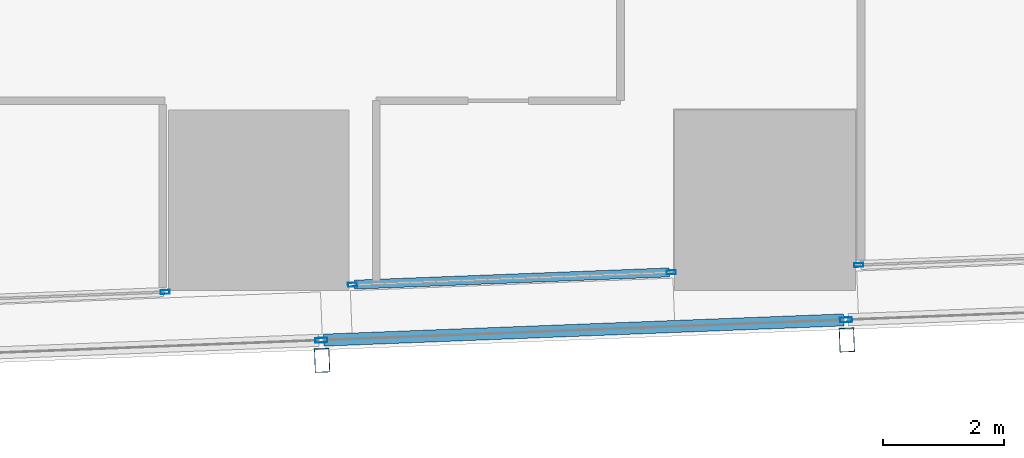
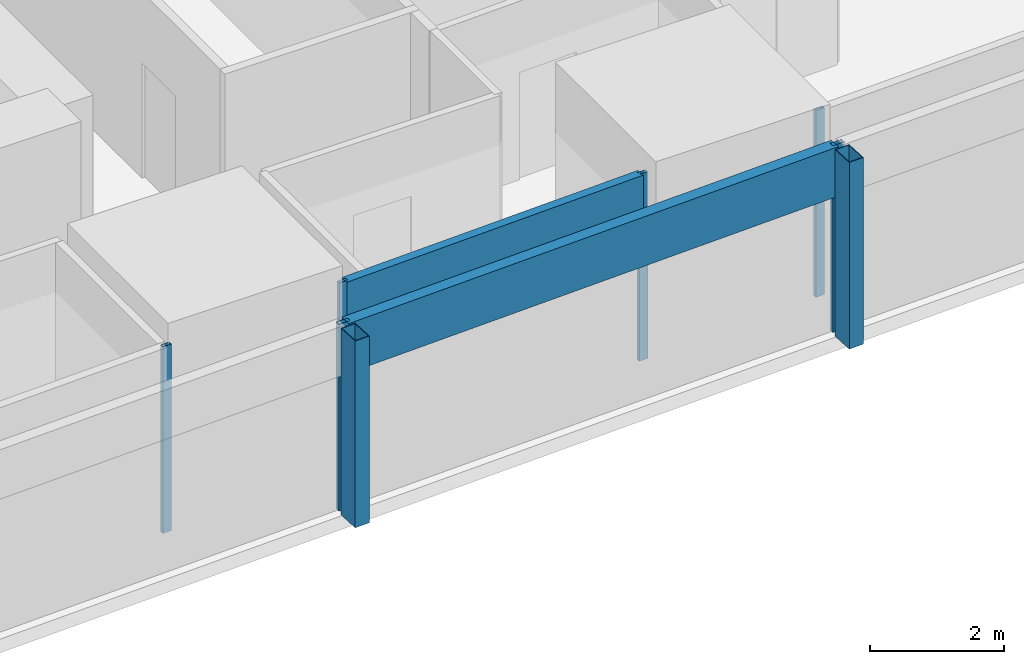
# One storey, part 11 of 38: 10 members, 4 elements without a shape of their own.
"""IFC4 building model written with IfcOpenShell, lengths in metres."""

from ifc_helpers import new_model, si_unit, direction, frame, origin, origin_2d, place, context, subcontext, project, spatial, hollow_rectangle, extrude, material, material_profile, profile_set, type_object, element, aggregate, save


model = new_model("IFC4")

# Units and contexts
model_context = context("Model", 3, precision=1e-05, world=origin(), true_north=direction((0.0, 1.0)))
body_context = subcontext(model_context, "Body", "Model", "MODEL_VIEW")
ifc_project = project(units=[si_unit("LENGTHUNIT", "METRE"), si_unit("AREAUNIT", "SQUARE_METRE"), si_unit("VOLUMEUNIT", "CUBIC_METRE"), si_unit("PLANEANGLEUNIT", "RADIAN"), si_unit("MASSUNIT", "GRAM", prefix="KILO")], contexts=[model_context])

# Site, building, storey
site_placement = place(None, origin())
site = spatial("IfcSite", under=ifc_project, at=site_placement, CompositionType="ELEMENT")
building_placement = place(site_placement, origin())
building = spatial("IfcBuilding", under=site, at=building_placement, Name="Rekha Terrace Tower", CompositionType="ELEMENT")
storey_placement = place(building_placement, frame((0.0, 0.0, 159.050048828125)))
storey = spatial("IfcBuildingStorey", under=building, at=storey_placement, Name="L40", CompositionType="ELEMENT", Elevation=159.050048828125)

# Curtain wall, members
ifc_material_1 = material(Name="Aluminium framing", Category="aluminium")
curtain_wall_type_1 = type_object("IfcCurtainWallType", Name="CW2 double skin outer glazing", PredefinedType="USERDEFINED", material=ifc_material_1)
curtain_wall_1_placement = place(storey_placement, origin())
curtain_wall_1 = element("IfcCurtainWall", 1, at=curtain_wall_1_placement, inside=storey, type_object=curtain_wall_type_1, Name="CW2 double skin outer glazing", ObjectType="DOUBLE SKIN OUTER GLAZING", PredefinedType="USERDEFINED")
ifc_material_2 = material(Name="Steel S355 with fluorocarbon finish", Category="steel")
ifc_material_profile_1 = material_profile(ifc_material_2, hollow_rectangle(XDim=0.25, YDim=0.39990234375, WallThickness=0.012451171875, at=origin_2d()), Name="RHS400x250x12.5")
ifc_profile_set_1 = profile_set([ifc_material_profile_1], Name="Steel S355 with fluorocarbon finish")
member_type_1 = type_object("IfcMemberType", Name="BL1 facade blade RHS 400 x 250", PredefinedType="USERDEFINED", material=ifc_profile_set_1)
member_1_placement = place(storey_placement, frame((51.4521484375, 14.141845703125, 0.0), z_axis=(0.0, 0.0, 1.0), x_axis=(0.999243494356, 0.038890088543, 0.0)))
member_1 = element("IfcMember", 2, at=member_1_placement, type_object=member_type_1, Name="Facade blade", ObjectType="FACADE BLADE", PredefinedType="USERDEFINED", context=body_context, shape_type="SweptSolid", body=[
    extrude(hollow_rectangle(XDim=0.25, YDim=0.39990234375, WallThickness=0.012451171875, at=origin_2d()), origin(), (0.0, 0.0, 1.0), 3.39990234375),
])
member_2_placement = place(storey_placement, frame((60.1572265625, 14.480712890625, 0.0), z_axis=(0.0, 0.0, 1.0), x_axis=(0.999243494356, 0.038890088543, 0.0)))
member_2 = element("IfcMember", 3, at=member_2_placement, type_object=member_type_1, Name="Facade blade", ObjectType="FACADE BLADE", PredefinedType="USERDEFINED", context=body_context, shape_type="SweptSolid", body=[
    extrude(hollow_rectangle(XDim=0.25, YDim=0.39990234375, WallThickness=0.012451171875, at=origin_2d()), origin(), (0.0, 0.0, 1.0), 3.39990234375),
])

# Curtain wall, member
curtain_wall_type_2 = type_object("IfcCurtainWallType", Name="CW1 double skin inner glazing", PredefinedType="USERDEFINED", material=ifc_material_1)
curtain_wall_2_placement = place(storey_placement, origin())
curtain_wall_2 = element("IfcCurtainWall", 4, at=curtain_wall_2_placement, inside=storey, type_object=curtain_wall_type_2, Name="CW1 double skin inner glazing", ObjectType="DOUBLE SKIN INNER GLAZING", PredefinedType="USERDEFINED")
ifc_material_3 = material(Name="Aluminium mullion section", Category="aluminium")
ifc_material_profile_2 = material_profile(ifc_material_3, hollow_rectangle(XDim=0.06494140625, YDim=0.14990234375, WallThickness=0.00390625, at=origin_2d()), Name="AL RHS 65x150")
ifc_profile_set_2 = profile_set([ifc_material_profile_2], Name="Aluminium mullion section")
member_type_2 = type_object("IfcMemberType", Name="CW1 mullion RHS 65 x 150", PredefinedType="MULLION", material=ifc_profile_set_2)
member_3_placement = place(storey_placement, frame((48.848388671875, 15.276611328125, 0.0), z_axis=(0.0, 0.0, 1.0), x_axis=(-0.038889971345, 0.999243498917, 0.0)))
member_3 = element("IfcMember", 5, at=member_3_placement, type_object=member_type_2, Name="CW1 mullion 4", PredefinedType="MULLION", context=body_context, shape_type="SweptSolid", body=[
    extrude(hollow_rectangle(XDim=0.06494140625, YDim=0.14990234375, WallThickness=0.00390625, at=origin_2d()), origin(), (0.0, 0.0, 1.0), 3.39990234375),
])
aggregate(curtain_wall_2, [member_3])

# Curtain wall, members
curtain_wall_3_placement = place(storey_placement, origin())
curtain_wall_3 = element("IfcCurtainWall", 6, at=curtain_wall_3_placement, inside=storey, type_object=curtain_wall_type_2, Name="CW1 double skin inner glazing", ObjectType="DOUBLE SKIN INNER GLAZING", PredefinedType="USERDEFINED")
member_4_placement = place(storey_placement, frame((51.9560546875, 15.3974609375, 0.0), z_axis=(0.0, 0.0, 1.0), x_axis=(-0.038889971328, 0.999243498918, 0.0)))
member_4 = element("IfcMember", 7, at=member_4_placement, type_object=member_type_2, Name="CW1 mullion 1", PredefinedType="MULLION", context=body_context, shape_type="SweptSolid", body=[
    extrude(hollow_rectangle(XDim=0.06494140625, YDim=0.14990234375, WallThickness=0.00390625, at=origin_2d()), origin(), (0.0, 0.0, 1.0), 3.39990234375),
])
member_5_placement = place(storey_placement, frame((57.243896484375, 15.603271484375, 0.0), z_axis=(0.0, 0.0, 1.0), x_axis=(-0.038889971328, 0.999243498918, 0.0)))
member_5 = element("IfcMember", 8, at=member_5_placement, type_object=member_type_2, Name="CW1 mullion 2", PredefinedType="MULLION", context=body_context, shape_type="SweptSolid", body=[
    extrude(hollow_rectangle(XDim=0.06494140625, YDim=0.14990234375, WallThickness=0.00390625, at=origin_2d()), origin(), (0.0, 0.0, 1.0), 3.39990234375),
])

# Curtain wall, member
curtain_wall_4_placement = place(storey_placement, origin())
curtain_wall_4 = element("IfcCurtainWall", 9, at=curtain_wall_4_placement, inside=storey, type_object=curtain_wall_type_2, Name="CW1 double skin inner glazing", ObjectType="DOUBLE SKIN INNER GLAZING", PredefinedType="USERDEFINED")
member_6_placement = place(storey_placement, frame((60.356201171875, 15.724365234375, 0.0), z_axis=(0.0, 0.0, 1.0), x_axis=(-0.038889971328, 0.999243498918, 0.0)))
member_6 = element("IfcMember", 10, at=member_6_placement, type_object=member_type_2, Name="CW1 mullion 1", PredefinedType="MULLION", context=body_context, shape_type="SweptSolid", body=[
    extrude(hollow_rectangle(XDim=0.06494140625, YDim=0.14990234375, WallThickness=0.00390625, at=origin_2d()), origin(), (0.0, 0.0, 1.0), 3.39990234375),
])
aggregate(curtain_wall_4, [member_6])

# Member
ifc_material_4 = material(Name="Insulated aluminium spandrel box", Category="aluminium")
ifc_material_profile_3 = material_profile(ifc_material_4, hollow_rectangle(XDim=0.14990234375, YDim=0.89990234375, WallThickness=0.0029296875, at=origin_2d()), Name="AL SPANDREL BOX 150x900")
ifc_profile_set_3 = profile_set([ifc_material_profile_3], Name="Insulated aluminium spandrel box")
member_type_3 = type_object("IfcMemberType", Name="CW1 spandrel transom 150 x 900", PredefinedType="USERDEFINED", material=ifc_profile_set_3)
member_7_placement = place(storey_placement, frame((51.988525390625, 15.398681640625, 2.949951171875), z_axis=(0.999242778178, 0.038908485683, 0.0), x_axis=(-0.038908485683, 0.999242778178, 0.0)))
member_7 = element("IfcMember", 11, at=member_7_placement, type_object=member_type_3, Name="CW1 spandrel transom 1", ObjectType="TRANSOM", PredefinedType="USERDEFINED", context=body_context, shape_type="SweptSolid", body=[
    extrude(hollow_rectangle(XDim=0.14990234375, YDim=0.89990234375, WallThickness=0.0029296875, at=origin_2d()), origin(), (0.0, 0.0, 1.0), 5.226806640625),
])

aggregate(curtain_wall_3, [member_4, member_5, member_7])

ifc_material_profile_4 = material_profile(ifc_material_3, hollow_rectangle(XDim=0.080078125, YDim=0.199951171875, WallThickness=0.00390625, at=origin_2d()), Name="AL RHS 80x200")
ifc_profile_set_4 = profile_set([ifc_material_profile_4], Name="Aluminium mullion section")
member_type_4 = type_object("IfcMemberType", Name="CW2 mullion RHS 80 x 200", PredefinedType="MULLION", material=ifc_profile_set_4)
member_8_placement = place(storey_placement, frame((51.439208984375, 14.4765625, 0.0), z_axis=(0.0, 0.0, 1.0), x_axis=(-0.038889971345, 0.999243498917, 0.0)))
member_8 = element("IfcMember", 12, at=member_8_placement, type_object=member_type_4, Name="CW2 mullion 4", PredefinedType="MULLION", context=body_context, shape_type="SweptSolid", body=[
    extrude(hollow_rectangle(XDim=0.080078125, YDim=0.199951171875, WallThickness=0.00390625, at=origin_2d()), origin(), (0.0, 0.0, 1.0), 3.39990234375),
])

member_9_placement = place(storey_placement, frame((60.14404296875, 14.8154296875, 0.0), z_axis=(0.0, 0.0, 1.0), x_axis=(-0.038889971345, 0.999243498917, 0.0)))
member_9 = element("IfcMember", 13, at=member_9_placement, type_object=member_type_4, Name="CW2 mullion 5", PredefinedType="MULLION", context=body_context, shape_type="SweptSolid", body=[
    extrude(hollow_rectangle(XDim=0.080078125, YDim=0.199951171875, WallThickness=0.00390625, at=origin_2d()), origin(), (0.0, 0.0, 1.0), 3.39990234375),
])

ifc_material_profile_5 = material_profile(ifc_material_4, hollow_rectangle(XDim=0.199951171875, YDim=0.89990234375, WallThickness=0.0029296875, at=origin_2d()), Name="AL SPANDREL BOX 200x900")
ifc_profile_set_5 = profile_set([ifc_material_profile_5], Name="Insulated aluminium spandrel box")
member_type_5 = type_object("IfcMemberType", Name="CW2 spandrel transom 200 x 900", PredefinedType="USERDEFINED", material=ifc_profile_set_5)
member_10_placement = place(storey_placement, frame((51.47900390625, 14.478271484375, 2.949951171875), z_axis=(0.999243481303, 0.038890423923, 0.0), x_axis=(-0.038890423923, 0.999243481303, 0.0)))
member_10 = element("IfcMember", 14, at=member_10_placement, type_object=member_type_5, Name="CW2 spandrel transom 4", ObjectType="TRANSOM", PredefinedType="USERDEFINED", context=body_context, shape_type="SweptSolid", body=[
    extrude(hollow_rectangle(XDim=0.199951171875, YDim=0.89990234375, WallThickness=0.0029296875, at=origin_2d()), origin(), (0.0, 0.0, 1.0), 8.6318359375),
])

aggregate(curtain_wall_1, [member_8, member_9, member_10, member_1, member_2])

save(model, "model.ifc")
